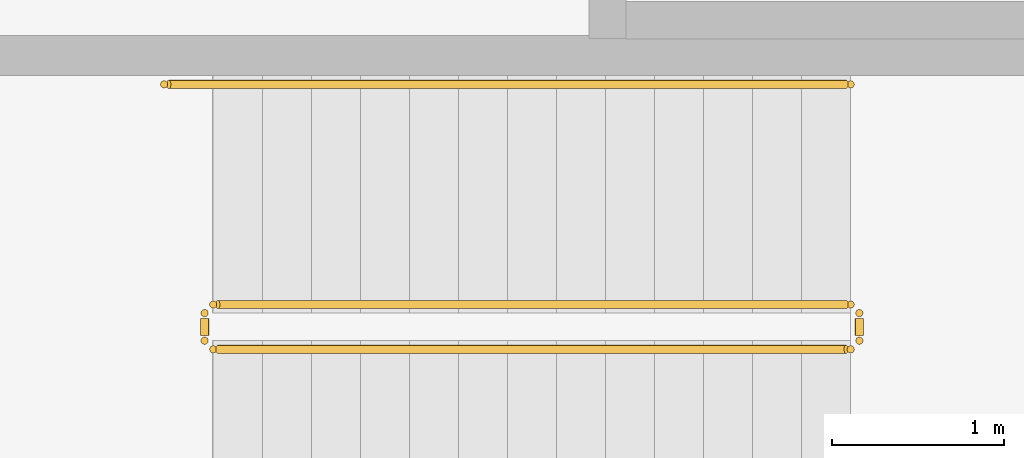
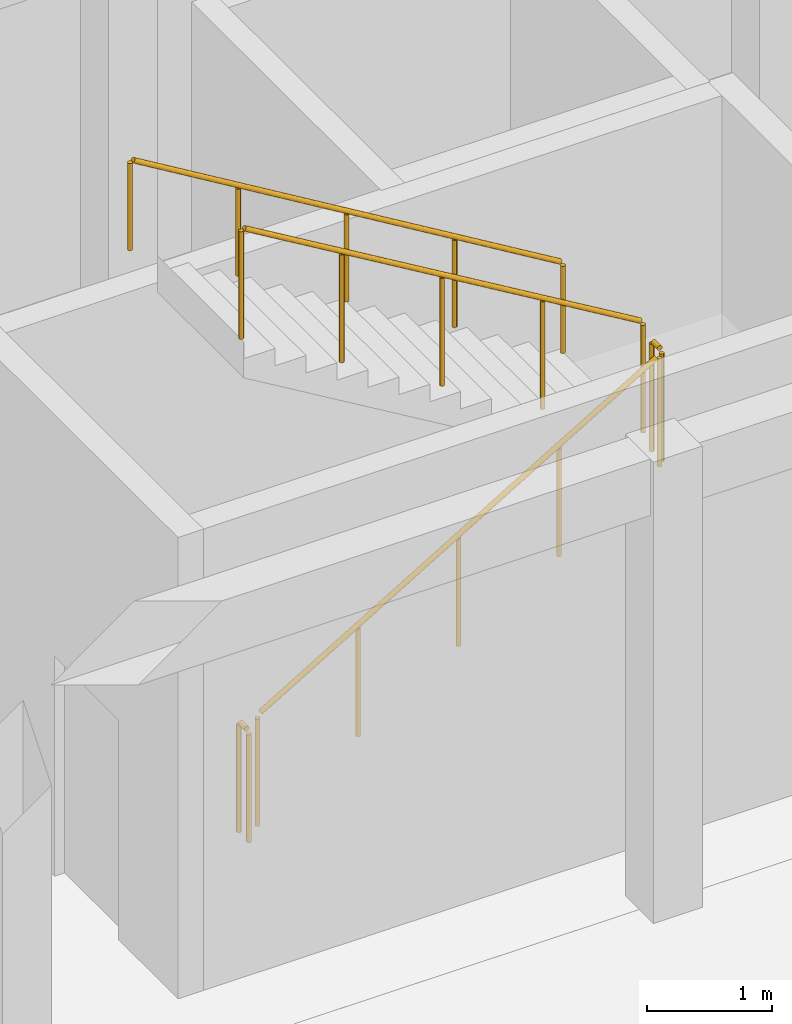
# One storey, part 125 of 132: 5 railings.
"""IFC4 building model written with IfcOpenShell, lengths in metres."""

from ifc_helpers import new_model, si_unit, direction, frame, origin, origin_2d, place, context, subcontext, project, spatial, circle, extrude, material, type_object, element, save


model = new_model("IFC4")

# Units and contexts
model_context = context("Model", 3, precision=1e-05, world=origin(), true_north=direction((0.0, 1.0)))
body_context = subcontext(model_context, "Body", "Model", "MODEL_VIEW")
ifc_project = project(units=[si_unit("LENGTHUNIT", "METRE"), si_unit("AREAUNIT", "SQUARE_METRE"), si_unit("VOLUMEUNIT", "CUBIC_METRE"), si_unit("PLANEANGLEUNIT", "RADIAN"), si_unit("MASSUNIT", "GRAM", prefix="KILO")], contexts=[model_context])

# Site, building, storey
site_placement = place(None, origin())
site = spatial("IfcSite", under=ifc_project, at=site_placement, CompositionType="ELEMENT")
building_placement = place(site_placement, origin())
building = spatial("IfcBuilding", under=site, at=building_placement, Name="Tanwirah Colonnade Gardens", CompositionType="ELEMENT")
storey_placement = place(building_placement, origin())
storey = spatial("IfcBuildingStorey", under=building, at=storey_placement, Name="L00", CompositionType="ELEMENT", Elevation=0.0)

# Railings
ifc_material_1 = material(Name="Powder-coated galvanized steel", Category="steel")
railing_type_1 = type_object("IfcRailingType", Name="GRD-ST110", PredefinedType="GUARDRAIL", material=ifc_material_1)
railing_1_placement = place(storey_placement, frame((81.60009765625, 94.330078125, 0.169921875)))
element("IfcRailing", 1, at=railing_1_placement, inside=storey, type_object=railing_type_1, Name="L00 ST-N1 stair guard 1", PredefinedType="GUARDRAIL", context=body_context, shape_type="SweptSolid", body=[
    extrude(circle(Radius=0.02392578125, at=origin_2d()), frame((0.02685546875, 0.0, 1.092041015625), z_axis=(0.858813389417, 0.0, 0.512288553608), x_axis=(0.0, 1.0, 0.0)), (0.0, 0.0, 1.0), 4.25146484375),
    extrude(circle(Radius=0.02099609375, at=origin_2d()), origin(), (0.0, 0.0, 1.0), 1.049072265625),
    extrude(circle(Radius=0.02099609375, at=origin_2d()), frame((0.92626953125, 0.0, 0.552490234375)), (0.0, 0.0, 1.0), 1.049072265625),
    extrude(circle(Radius=0.02099609375, at=origin_2d()), frame((1.8525390625, 0.0, 1.10498046875)), (0.0, 0.0, 1.0), 1.049072265625),
    extrude(circle(Radius=0.02099609375, at=origin_2d()), frame((2.778564453125, 0.0, 1.657470703125)), (0.0, 0.0, 1.0), 1.049072265625),
    extrude(circle(Radius=0.02099609375, at=origin_2d()), frame((3.704833984375, 0.0, 2.2099609375)), (0.0, 0.0, 1.0), 1.049072265625),
])
railing_2_placement = place(storey_placement, frame((85.35498046875, 94.3798828125, 2.3798828125)))
element("IfcRailing", 2, at=railing_2_placement, inside=storey, type_object=railing_type_1, Name="L00 ST-N1 stair guard 2", PredefinedType="GUARDRAIL", context=body_context, shape_type="SweptSolid", body=[
    extrude(circle(Radius=0.02392578125, at=origin_2d()), frame((0.0, 0.03125, 1.076171875), z_axis=(0.0, 1.0, 0.0), x_axis=(-1.0, 0.0, 0.0)), (0.0, 0.0, 1.0), 0.09765625),
    extrude(circle(Radius=0.02099609375, at=origin_2d()), origin(), (0.0, 0.0, 1.0), 1.049072265625),
    extrude(circle(Radius=0.02099609375, at=origin_2d()), frame((0.0, 0.16015625, 0.0)), (0.0, 0.0, 1.0), 1.049072265625),
])
railing_3_placement = place(storey_placement, frame((85.304931640625, 94.590087890625, 2.550048828125)))
element("IfcRailing", 3, at=railing_3_placement, inside=storey, type_object=railing_type_1, Name="L00 ST-N1 stair guard 3", PredefinedType="GUARDRAIL", context=body_context, shape_type="SweptSolid", body=[
    extrude(circle(Radius=0.02392578125, at=origin_2d()), frame((-0.02685546875, 0.0, 1.092041015625), z_axis=(-0.858813389417, 0.0, 0.512288553608), x_axis=(0.0, -1.0, 0.0)), (0.0, 0.0, 1.0), 4.25146484375),
    extrude(circle(Radius=0.02099609375, at=origin_2d()), origin(), (0.0, 0.0, 1.0), 1.049072265625),
    extrude(circle(Radius=0.02099609375, at=origin_2d()), frame((-0.92626953125, 0.0, 0.552490234375)), (0.0, 0.0, 1.0), 1.049072265625),
    extrude(circle(Radius=0.02099609375, at=origin_2d()), frame((-1.8525390625, 0.0, 1.10498046875)), (0.0, 0.0, 1.0), 1.049072265625),
    extrude(circle(Radius=0.02099609375, at=origin_2d()), frame((-2.778564453125, 0.0, 1.657470703125)), (0.0, 0.0, 1.0), 1.049072265625),
    extrude(circle(Radius=0.02099609375, at=origin_2d()), frame((-3.704833984375, 0.0, 2.2099609375)), (0.0, 0.0, 1.0), 1.049072265625),
])
railing_4_placement = place(storey_placement, frame((81.550048828125, 94.3798828125, 0.0)))
element("IfcRailing", 4, at=railing_4_placement, inside=storey, type_object=railing_type_1, Name="L00 ST-N1 stair guard 4", PredefinedType="GUARDRAIL", context=body_context, shape_type="SweptSolid", body=[
    extrude(circle(Radius=0.02392578125, at=origin_2d()), frame((0.0, 0.03125, 1.076171875), z_axis=(0.0, 1.0, 0.0), x_axis=(-1.0, 0.0, 0.0)), (0.0, 0.0, 1.0), 0.09765625),
    extrude(circle(Radius=0.02099609375, at=origin_2d()), origin(), (0.0, 0.0, 1.0), 1.049072265625),
    extrude(circle(Radius=0.02099609375, at=origin_2d()), frame((0.0, 0.16015625, 0.0)), (0.0, 0.0, 1.0), 1.049072265625),
])
ifc_material_2 = material(Name="Brushed bronze stainless steel", Category="steel")
railing_type_2 = type_object("IfcRailingType", Name="HR-ST090", PredefinedType="HANDRAIL", material=ifc_material_2)
railing_5_placement = place(storey_placement, frame((85.304931640625, 95.8701171875, 2.550048828125)))
element("IfcRailing", 5, at=railing_5_placement, inside=storey, type_object=railing_type_2, Name="L00 ST-N1 stair handrail 2", PredefinedType="HANDRAIL", context=body_context, shape_type="SweptSolid", body=[
    extrude(circle(Radius=0.02392578125, at=origin_2d()), frame((-0.02685546875, 0.0, 0.891845703125), z_axis=(-0.857117866608, 0.0, 0.515120338116), x_axis=(0.0, -1.0, 0.0)), (0.0, 0.0, 1.0), 4.592529296875),
    extrude(circle(Radius=0.02099609375, at=origin_2d()), origin(), (0.0, 0.0, 1.0), 0.848876953125),
    extrude(circle(Radius=0.02099609375, at=origin_2d()), frame((-0.99755859375, 0.0, 0.599609375)), (0.0, 0.0, 1.0), 0.848876953125),
    extrude(circle(Radius=0.02099609375, at=origin_2d()), frame((-1.9951171875, 0.0, 1.198974609375)), (0.0, 0.0, 1.0), 0.848876953125),
    extrude(circle(Radius=0.02099609375, at=origin_2d()), frame((-2.992431640625, 0.0, 1.79833984375)), (0.0, 0.0, 1.0), 0.848876953125),
    extrude(circle(Radius=0.02099609375, at=origin_2d()), frame((-3.989990234375, 0.0, 2.39794921875)), (0.0, 0.0, 1.0), 0.848876953125),
])

save(model, "model.ifc")
